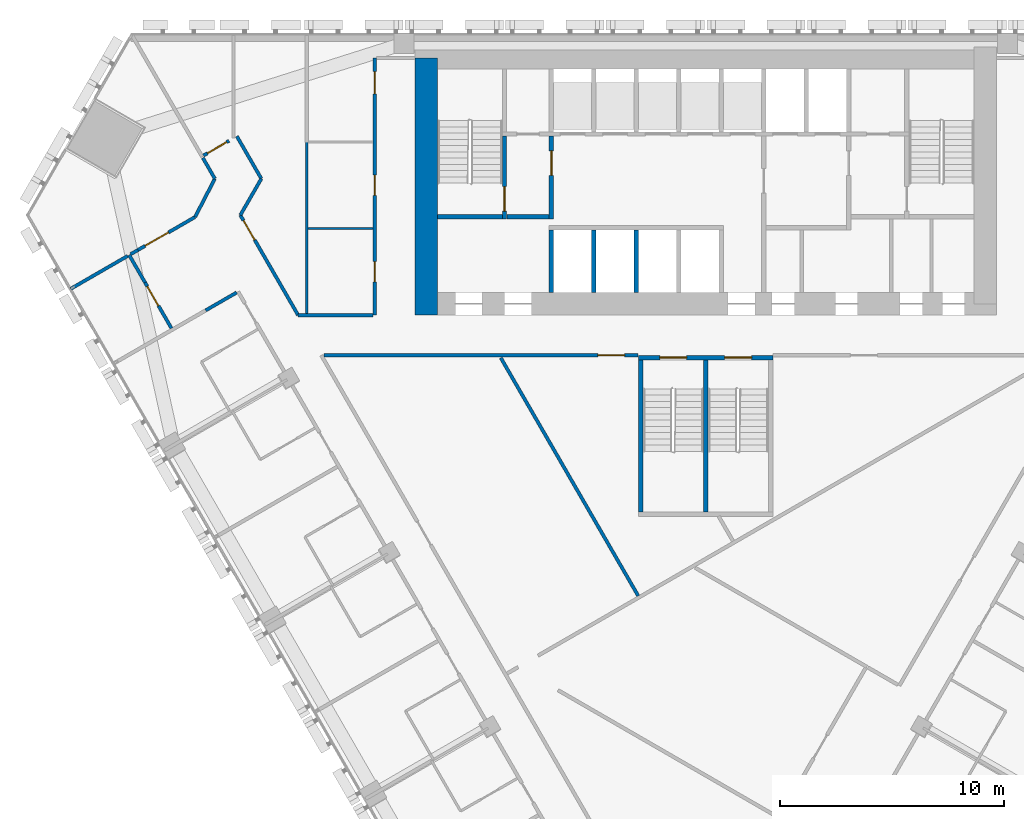
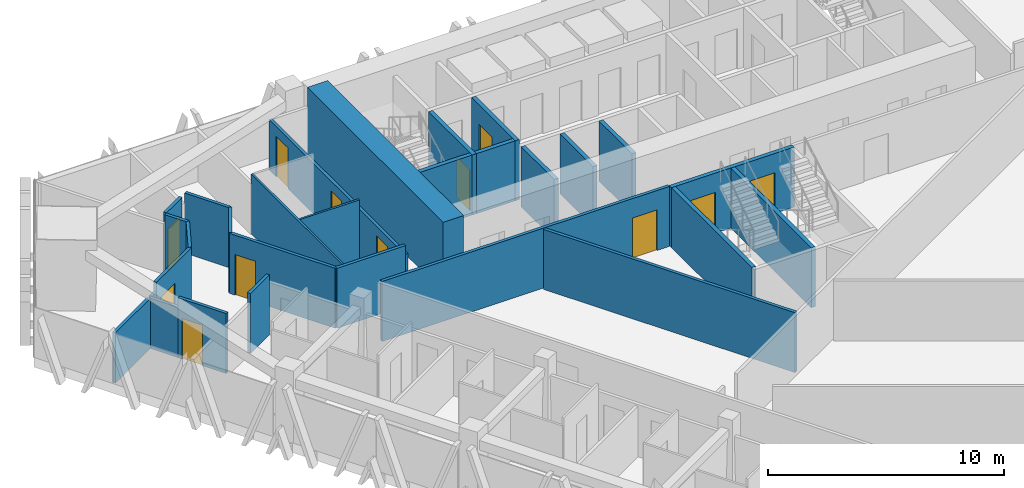
# One storey, part 11 of 17: 29 walls, 12 doors, 12 openings.
"""IFC4 building model written with IfcOpenShell, lengths in metres."""

from ifc_helpers import new_model, si_unit, direction, frame, frame_2d, origin, place, context, subcontext, project, spatial, rectangle, extrude, material, layer, layer_set, type_object, element, fill, save


model = new_model("IFC4")

# Units and contexts
model_context = context("Model", 3, precision=1e-05, world=origin(), true_north=direction((0.0, 1.0)))
body_context = subcontext(model_context, "Body", "Model", "MODEL_VIEW")
ifc_project = project(units=[si_unit("LENGTHUNIT", "METRE"), si_unit("AREAUNIT", "SQUARE_METRE"), si_unit("VOLUMEUNIT", "CUBIC_METRE"), si_unit("PLANEANGLEUNIT", "RADIAN"), si_unit("MASSUNIT", "GRAM", prefix="KILO")], contexts=[model_context])

# Site, building, storey
site_placement = place(None, origin())
site = spatial("IfcSite", under=ifc_project, at=site_placement, CompositionType="ELEMENT")
building_placement = place(site_placement, origin())
building = spatial("IfcBuilding", under=site, at=building_placement, Name="Altiplano Prism Tower", CompositionType="ELEMENT")
storey_placement = place(building_placement, frame((0.0, 0.0, 55.800048828125)))
storey = spatial("IfcBuildingStorey", under=building, at=storey_placement, Name="L13", CompositionType="ELEMENT", Elevation=55.800048828125)

# Walls
ifc_material_1 = material(Name="Concrete C70/85", Category="concrete")
ifc_layer_1 = layer(ifc_material_1, 1.0)
ifc_layer_set_1 = layer_set([ifc_layer_1], Name="Concrete C70/85")
wall_type_1 = type_object("IfcWallType", Name="Core wall 1000", PredefinedType="SHEAR", material=ifc_layer_set_1)
wall_1_placement = place(storey_placement, frame((72.5, 103.89990234375, 0.0), z_axis=(0.0, 0.0, 1.0), x_axis=(0.0, -1.0, 0.0)))
element("IfcWall", 1, at=wall_1_placement, inside=storey, type_object=wall_type_1, Name="Core wall W L13", PredefinedType="SHEAR", context=body_context, shape_type="SweptSolid", body=[
    extrude(rectangle(XDim=11.5, YDim=1.0, at=frame_2d((5.75, 0.0))), origin(), (0.0, 0.0, 1.0), 3.599853515625),
])
ifc_material_2 = material(Name="Plasterboard on steel stud", Category="steel")
ifc_layer_2 = layer(ifc_material_2, 0.10009765625)
ifc_layer_set_2 = layer_set([ifc_layer_2], Name="Plasterboard on steel stud")
wall_type_2 = type_object("IfcWallType", Name="Partition 100 wet", PredefinedType="PARTITIONING", material=ifc_layer_set_2)
wall_2_placement = place(storey_placement, frame((67.201171875, 96.271728515625, 0.0), z_axis=(0.0, 0.0, 1.0), x_axis=(1.0, 0.0, 0.0)))
element("IfcWall", 2, at=wall_2_placement, inside=storey, type_object=wall_type_2, Name="Partition P03 L13 046", PredefinedType="PARTITIONING", context=body_context, shape_type="SweptSolid", body=[
    extrude(rectangle(XDim=2.923828125, YDim=0.10009765625, at=frame_2d((1.4619140625, 0.0))), origin(), (0.0, 0.0, 1.0), 3.099853515625),
])
wall_3_placement = place(storey_placement, frame((67.151123046875, 100.16259765625, 0.0), z_axis=(0.0, 0.0, 1.0), x_axis=(0.0, -1.0, 0.0)))
element("IfcWall", 3, at=wall_3_placement, inside=storey, type_object=wall_type_2, Name="Partition P03 L13 048", PredefinedType="PARTITIONING", context=body_context, shape_type="SweptSolid", body=[
    extrude(rectangle(XDim=7.6875, YDim=0.10009765625, at=frame_2d((3.84375, 0.0))), origin(), (0.0, 0.0, 1.0), 3.099853515625),
])

# Wall, openings, doors
ifc_layer_3 = layer(ifc_material_2, 0.14990234375)
ifc_layer_set_3 = layer_set([ifc_layer_3], Name="Plasterboard on steel stud")
wall_type_3 = type_object("IfcWallType", Name="Partition 150 corridor", PredefinedType="PARTITIONING", material=ifc_layer_set_3)
wall_4_placement = place(storey_placement, frame((70.199951171875, 103.89990234375, 0.0), z_axis=(0.0, 0.0, 1.0), x_axis=(0.0, -1.0, 0.0)))
wall_4 = element("IfcWall", 4, at=wall_4_placement, inside=storey, type_object=wall_type_3, Name="Partition P06 L13 001", PredefinedType="PARTITIONING", context=body_context, shape_type="SweptSolid", body=[
    extrude(rectangle(XDim=11.5, YDim=0.14990234375, at=frame_2d((5.75, 0.0))), origin(), (0.0, 0.0, 1.0), 2.599853515625),
])
opening_1_placement = place(wall_4_placement, frame((5.242919921875, 0.0, 0.0)))
opening_1 = element("IfcOpeningElement", 5, at=opening_1_placement, cuts=wall_4, Name="Opening D0522", PredefinedType="OPENING", context=body_context, shape_type="SweptSolid", body=[
    extrude(rectangle(XDim=0.89990234375, YDim=2.10009765625, at=frame_2d((0.449951171875, 1.050048828125))), frame((0.0, 0.08544921875, 0.0), z_axis=(0.0, -1.0, 0.0), x_axis=(1.0, 0.0, 0.0)), (0.0, 0.0, 1.0), 0.1708984375),
])
opening_2_placement = place(wall_4_placement, frame((9.114013671875, 0.0, 0.0)))
opening_2 = element("IfcOpeningElement", 6, at=opening_2_placement, cuts=wall_4, Name="Opening D0523", PredefinedType="OPENING", context=body_context, shape_type="SweptSolid", body=[
    extrude(rectangle(XDim=0.89990234375, YDim=2.10009765625, at=frame_2d((0.449951171875, 1.050048828125))), frame((0.0, 0.08544921875, 0.0), z_axis=(0.0, -1.0, 0.0), x_axis=(1.0, 0.0, 0.0)), (0.0, 0.0, 1.0), 0.1708984375),
])
opening_3_placement = place(wall_4_placement, frame((0.60693359375, 0.0, 0.0)))
opening_3 = element("IfcOpeningElement", 7, at=opening_3_placement, cuts=wall_4, Name="Opening D0525", PredefinedType="OPENING", context=body_context, shape_type="SweptSolid", body=[
    extrude(rectangle(XDim=1.0, YDim=2.10009765625, at=frame_2d((0.5, 1.050048828125))), frame((0.0, 0.08544921875, 0.0), z_axis=(0.0, -1.0, 0.0), x_axis=(1.0, 0.0, 0.0)), (0.0, 0.0, 1.0), 0.1708984375),
])
ifc_material_3 = material(Name="Timber", Category="wood")
door_type_1 = type_object("IfcDoorType", Name="Store door 1000 x 2100", OperationType="NOTDEFINED", PredefinedType="NOTDEFINED", material=ifc_material_3)
door_1_placement = place(opening_3_placement, origin())
door_1 = element("IfcDoor", 8, at=door_1_placement, inside=storey, type_object=door_type_1, Name="Door D0525", OperationType="SINGLE_SWING_LEFT", OverallHeight=2.10009765625, OverallWidth=1.0, PredefinedType="NOTDEFINED", context=body_context, shape_type="SweptSolid", body=[
    extrude(rectangle(XDim=1.0, YDim=2.10009765625, at=frame_2d((0.5, 1.050048828125))), frame((0.0, 0.02490234375, 0.0), z_axis=(0.0, -1.0, 0.0), x_axis=(1.0, 0.0, 0.0)), (0.0, 0.0, 1.0), 0.050048828125),
])
fill(opening_3, door_1)
door_type_2 = type_object("IfcDoorType", Name="Toilet door 900 x 2100", OperationType="NOTDEFINED", PredefinedType="NOTDEFINED", material=ifc_material_3)
door_2_placement = place(opening_1_placement, origin())
door_2 = element("IfcDoor", 9, at=door_2_placement, inside=storey, type_object=door_type_2, Name="Door D0522", OperationType="SINGLE_SWING_RIGHT", OverallHeight=2.10009765625, OverallWidth=0.89990234375, PredefinedType="NOTDEFINED", context=body_context, shape_type="SweptSolid", body=[
    extrude(rectangle(XDim=0.89990234375, YDim=2.10009765625, at=frame_2d((0.449951171875, 1.050048828125))), frame((0.0, 0.02490234375, 0.0), z_axis=(0.0, -1.0, 0.0), x_axis=(1.0, 0.0, 0.0)), (0.0, 0.0, 1.0), 0.050048828125),
])
fill(opening_1, door_2)
door_3_placement = place(opening_2_placement, origin())
door_3 = element("IfcDoor", 10, at=door_3_placement, inside=storey, type_object=door_type_2, Name="Door D0523", OperationType="SINGLE_SWING_LEFT", OverallHeight=2.10009765625, OverallWidth=0.89990234375, PredefinedType="NOTDEFINED", context=body_context, shape_type="SweptSolid", body=[
    extrude(rectangle(XDim=0.89990234375, YDim=2.10009765625, at=frame_2d((0.449951171875, 1.050048828125))), frame((0.0, 0.02490234375, 0.0), z_axis=(0.0, -1.0, 0.0), x_axis=(1.0, 0.0, 0.0)), (0.0, 0.0, 1.0), 0.050048828125),
])
fill(opening_2, door_3)

# Wall
wall_5_placement = place(storey_placement, frame((70.125, 92.39990234375, 0.0), z_axis=(0.0, 0.0, 1.0), x_axis=(-1.0, 0.0, 0.0)))
element("IfcWall", 11, at=wall_5_placement, inside=storey, type_object=wall_type_3, Name="Partition P06 L13 002", PredefinedType="PARTITIONING", context=body_context, shape_type="SweptSolid", body=[
    extrude(rectangle(XDim=3.359619140625, YDim=0.14990234375, at=frame_2d((1.6796875, 0.0))), origin(), (0.0, 0.0, 1.0), 3.099853515625),
])

# Wall, opening, door
wall_6_placement = place(storey_placement, frame((63.676025390625, 100.198486328125, 0.0), z_axis=(0.0, 0.0, 1.0), x_axis=(-0.865994851461, -0.500052914442, 0.0)))
wall_6 = element("IfcWall", 12, at=wall_6_placement, inside=storey, type_object=wall_type_3, Name="Partition P06 L13 003", PredefinedType="PARTITIONING", context=body_context, shape_type="SweptSolid", body=[
    extrude(rectangle(XDim=1.321533203125, YDim=0.14990234375, at=frame_2d((0.66064453125, 0.0))), origin(), (0.0, 0.0, 1.0), 3.099853515625),
])
opening_4_placement = place(wall_6_placement, frame((0.1201171875, 0.0, 0.0)))
opening_4 = element("IfcOpeningElement", 13, at=opening_4_placement, cuts=wall_6, Name="Opening D0524", PredefinedType="OPENING", context=body_context, shape_type="SweptSolid", body=[
    extrude(rectangle(XDim=1.0, YDim=2.10009765625, at=frame_2d((0.5, 1.050048828125))), frame((0.0, 0.08544921875, 0.0), z_axis=(0.0, -1.0, 0.0), x_axis=(1.0, 0.0, 0.0)), (0.0, 0.0, 1.0), 0.1708984375),
])
door_4_placement = place(opening_4_placement, origin())
door_4 = element("IfcDoor", 14, at=door_4_placement, inside=storey, type_object=door_type_1, Name="Door D0524", OperationType="SINGLE_SWING_RIGHT", OverallHeight=2.10009765625, OverallWidth=1.0, PredefinedType="NOTDEFINED", context=body_context, shape_type="SweptSolid", body=[
    extrude(rectangle(XDim=1.0, YDim=2.10009765625, at=frame_2d((0.5, 1.050048828125))), frame((0.0, 0.02490234375, 0.0), z_axis=(0.0, -1.0, 0.0), x_axis=(1.0, 0.0, 0.0)), (0.0, 0.0, 1.0), 0.050048828125),
])
fill(opening_4, door_4)

# Walls
wall_7_placement = place(storey_placement, frame((62.50390625, 99.43505859375, 0.0), z_axis=(0.0, 0.0, 1.0), x_axis=(0.499957341738, -0.866050031143, 0.0)))
element("IfcWall", 15, at=wall_7_placement, inside=storey, type_object=wall_type_3, Name="Partition P06 L13 005", PredefinedType="PARTITIONING", context=body_context, shape_type="SweptSolid", body=[
    extrude(rectangle(XDim=1.07958984375, YDim=0.14990234375, at=frame_2d((0.539794921875, 0.0))), origin(), (0.0, 0.0, 1.0), 3.099853515625),
])
wall_8_placement = place(storey_placement, frame((63.043701171875, 98.5, 0.0), z_axis=(0.0, 0.0, 1.0), x_axis=(-0.459959252293, -0.887940024005, 0.0)))
element("IfcWall", 16, at=wall_8_placement, inside=storey, type_object=wall_type_3, Name="Partition P06 L13 006", PredefinedType="PARTITIONING", context=body_context, shape_type="SweptSolid", body=[
    extrude(rectangle(XDim=1.931640625, YDim=0.14990234375, at=frame_2d((0.9658203125, 0.0))), origin(), (0.0, 0.0, 1.0), 3.099853515625),
])

# Wall, opening, door
wall_9_placement = place(storey_placement, frame((62.1552734375, 96.784912109375, 0.0), z_axis=(0.0, 0.0, 1.0), x_axis=(-0.866033953121, -0.499985191823, 0.0)))
wall_9 = element("IfcWall", 17, at=wall_9_placement, inside=storey, type_object=wall_type_3, Name="Partition P06 L13 007", PredefinedType="PARTITIONING", context=body_context, shape_type="SweptSolid", body=[
    extrude(rectangle(XDim=2.94921875, YDim=0.14990234375, at=frame_2d((1.474609375, 0.0))), origin(), (0.0, 0.0, 1.0), 3.099853515625),
])
opening_5_placement = place(wall_9_placement, frame((1.375, 0.0, 0.0)))
opening_5 = element("IfcOpeningElement", 18, at=opening_5_placement, cuts=wall_9, Name="Opening D0526", PredefinedType="OPENING", context=body_context, shape_type="SweptSolid", body=[
    extrude(rectangle(XDim=1.199951171875, YDim=2.10009765625, at=frame_2d((0.60009765625, 1.050048828125))), frame((0.0, 0.08544921875, 0.0), z_axis=(0.0, -1.0, 0.0), x_axis=(1.0, 0.0, 0.0)), (0.0, 0.0, 1.0), 0.1708984375),
])
door_type_3 = type_object("IfcDoorType", Name="Shared room door 1200 x 2100", OperationType="NOTDEFINED", PredefinedType="NOTDEFINED", material=ifc_material_3)
door_5_placement = place(opening_5_placement, origin())
door_5 = element("IfcDoor", 19, at=door_5_placement, inside=storey, type_object=door_type_3, Name="Door D0526", OperationType="SINGLE_SWING_RIGHT", OverallHeight=2.10009765625, OverallWidth=1.199951171875, PredefinedType="NOTDEFINED", context=body_context, shape_type="SweptSolid", body=[
    extrude(rectangle(XDim=1.199951171875, YDim=2.10009765625, at=frame_2d((0.60009765625, 1.050048828125))), frame((0.0, 0.02490234375, 0.0), z_axis=(0.0, -1.0, 0.0), x_axis=(1.0, 0.0, 0.0)), (0.0, 0.0, 1.0), 0.050048828125),
])
fill(opening_5, door_5)

# Walls
wall_10_placement = place(storey_placement, frame((59.60107421875, 95.310302734375, 0.0), z_axis=(0.0, 0.0, 1.0), x_axis=(-0.865752432539, -0.500472502294, 0.0)))
element("IfcWall", 20, at=wall_10_placement, inside=storey, type_object=wall_type_3, Name="Partition P06 L13 008", PredefinedType="PARTITIONING", context=body_context, shape_type="SweptSolid", body=[
    extrude(rectangle(XDim=0.375732421875, YDim=0.14990234375, at=frame_2d((0.18798828125, 0.0))), origin(), (0.0, 0.0, 1.0), 2.599853515625),
])
wall_11_placement = place(storey_placement, frame((59.210693359375, 95.0849609375, 0.0), z_axis=(0.0, 0.0, 1.0), x_axis=(0.500114325761, -0.865959387713, 0.0)))
element("IfcWall", 21, at=wall_11_placement, inside=storey, type_object=wall_type_3, Name="Partition P06 L13 009", PredefinedType="PARTITIONING", context=body_context, shape_type="SweptSolid", body=[
    extrude(rectangle(XDim=1.420166015625, YDim=0.14990234375, at=frame_2d((0.7099609375, 0.0))), origin(), (0.0, 0.0, 1.0), 2.599853515625),
])

# Wall, opening, door
wall_12_placement = place(storey_placement, frame((59.9208984375, 93.855224609375, 0.0), z_axis=(0.0, 0.0, 1.0), x_axis=(0.499967270532, -0.866044299327, 0.0)))
wall_12 = element("IfcWall", 22, at=wall_12_placement, inside=storey, type_object=wall_type_3, Name="Partition P06 L13 010", PredefinedType="PARTITIONING", context=body_context, shape_type="SweptSolid", body=[
    extrude(rectangle(XDim=2.359619140625, YDim=0.14990234375, at=frame_2d((1.1796875, 0.0))), origin(), (0.0, 0.0, 1.0), 3.099853515625),
])
opening_6_placement = place(wall_12_placement, frame((0.199951171875, 0.0, 0.0)))
opening_6 = element("IfcOpeningElement", 23, at=opening_6_placement, cuts=wall_12, Name="Opening D0527", PredefinedType="OPENING", context=body_context, shape_type="SweptSolid", body=[
    extrude(rectangle(XDim=1.0, YDim=2.10009765625, at=frame_2d((0.5, 1.050048828125))), frame((0.0, 0.08544921875, 0.0), z_axis=(0.0, -1.0, 0.0), x_axis=(1.0, 0.0, 0.0)), (0.0, 0.0, 1.0), 0.1708984375),
])
door_type_4 = type_object("IfcDoorType", Name="Room door 1000 x 2100", OperationType="NOTDEFINED", PredefinedType="NOTDEFINED", material=ifc_material_3)
door_6_placement = place(opening_6_placement, origin())
door_6 = element("IfcDoor", 24, at=door_6_placement, inside=storey, type_object=door_type_4, Name="Door D0527", OperationType="SINGLE_SWING_RIGHT", OverallHeight=2.10009765625, OverallWidth=1.0, PredefinedType="NOTDEFINED", context=body_context, shape_type="SweptSolid", body=[
    extrude(rectangle(XDim=1.0, YDim=2.10009765625, at=frame_2d((0.5, 1.050048828125))), frame((0.0, 0.02490234375, 0.0), z_axis=(0.0, -1.0, 0.0), x_axis=(1.0, 0.0, 0.0)), (0.0, 0.0, 1.0), 0.050048828125),
])
fill(opening_6, door_6)

# Wall
wall_13_placement = place(storey_placement, frame((62.627685546875, 92.60693359375, 0.0), z_axis=(0.0, 0.0, 1.0), x_axis=(0.866015857963, 0.500016533484, 0.0)))
element("IfcWall", 25, at=wall_13_placement, inside=storey, type_object=wall_type_3, Name="Partition P06 L13 011", PredefinedType="PARTITIONING", context=body_context, shape_type="SweptSolid", body=[
    extrude(rectangle(XDim=1.60498046875, YDim=0.14990234375, at=frame_2d((0.802490234375, 0.0))), origin(), (0.0, 0.0, 1.0), 3.099853515625),
])

# Wall, opening, door
wall_14_placement = place(storey_placement, frame((67.9345703125, 90.60009765625, 0.0), z_axis=(0.0, 0.0, 1.0), x_axis=(1.0, 0.0, 0.0)))
wall_14 = element("IfcWall", 26, at=wall_14_placement, inside=storey, type_object=wall_type_3, Name="Partition P06 L13 029", PredefinedType="PARTITIONING", context=body_context, shape_type="SweptSolid", body=[
    extrude(rectangle(XDim=14.0400390625, YDim=0.14990234375, at=frame_2d((7.02001953125, 0.0))), origin(), (0.0, 0.0, 1.0), 3.099853515625),
])
opening_7_placement = place(wall_14_placement, frame((12.238037109375, 0.0, 0.0)))
opening_7 = element("IfcOpeningElement", 27, at=opening_7_placement, cuts=wall_14, Name="Opening D0569", PredefinedType="OPENING", context=body_context, shape_type="SweptSolid", body=[
    extrude(rectangle(XDim=1.199951171875, YDim=2.10009765625, at=frame_2d((0.60009765625, 1.050048828125))), frame((0.0, 0.08544921875, 0.0), z_axis=(0.0, -1.0, 0.0), x_axis=(1.0, 0.0, 0.0)), (0.0, 0.0, 1.0), 0.1708984375),
])
door_7_placement = place(opening_7_placement, origin())
door_7 = element("IfcDoor", 28, at=door_7_placement, inside=storey, type_object=door_type_3, Name="Door D0569", OperationType="SINGLE_SWING_LEFT", OverallHeight=2.10009765625, OverallWidth=1.199951171875, PredefinedType="NOTDEFINED", context=body_context, shape_type="SweptSolid", body=[
    extrude(rectangle(XDim=1.199951171875, YDim=2.10009765625, at=frame_2d((0.60009765625, 1.050048828125))), frame((0.0, 0.02490234375, 0.0), z_axis=(0.0, -1.0, 0.0), x_axis=(1.0, 0.0, 0.0)), (0.0, 0.0, 1.0), 0.050048828125),
])
fill(opening_7, door_7)

wall_15_placement = place(storey_placement, frame((66.765380859375, 92.39990234375, 0.0), z_axis=(0.0, 0.0, 1.0), x_axis=(-0.499992497538, 0.86602973529, 0.0)))
wall_15 = element("IfcWall", 29, at=wall_15_placement, inside=storey, type_object=wall_type_3, Name="Partition P06 L13 043", PredefinedType="PARTITIONING", context=body_context, shape_type="SweptSolid", body=[
    extrude(rectangle(XDim=5.1650390625, YDim=0.14990234375, at=frame_2d((2.58251953125, 0.0))), origin(), (0.0, 0.0, 1.0), 3.099853515625),
])
opening_8_placement = place(wall_15_placement, frame((3.885009765625, 0.0, 0.0)))
opening_8 = element("IfcOpeningElement", 30, at=opening_8_placement, cuts=wall_15, Name="Opening D0570", PredefinedType="OPENING", context=body_context, shape_type="SweptSolid", body=[
    extrude(rectangle(XDim=1.0, YDim=2.10009765625, at=frame_2d((0.5, 1.050048828125))), frame((0.0, 0.08544921875, 0.0), z_axis=(0.0, -1.0, 0.0), x_axis=(1.0, 0.0, 0.0)), (0.0, 0.0, 1.0), 0.1708984375),
])
door_8_placement = place(opening_8_placement, origin())
door_8 = element("IfcDoor", 31, at=door_8_placement, inside=storey, type_object=door_type_4, Name="Door D0570", OperationType="SINGLE_SWING_RIGHT", OverallHeight=2.10009765625, OverallWidth=1.0, PredefinedType="NOTDEFINED", context=body_context, shape_type="SweptSolid", body=[
    extrude(rectangle(XDim=1.0, YDim=2.10009765625, at=frame_2d((0.5, 1.050048828125))), frame((0.0, 0.02490234375, 0.0), z_axis=(0.0, -1.0, 0.0), x_axis=(1.0, 0.0, 0.0)), (0.0, 0.0, 1.0), 0.050048828125),
])
fill(opening_8, door_8)

# Walls
wall_16_placement = place(storey_placement, frame((64.182861328125, 96.873046875, 0.0), z_axis=(0.0, 0.0, 1.0), x_axis=(0.500052415518, 0.865995139556, 0.0)))
element("IfcWall", 32, at=wall_16_placement, inside=storey, type_object=wall_type_3, Name="Partition P06 L13 044", PredefinedType="PARTITIONING", context=body_context, shape_type="SweptSolid", body=[
    extrude(rectangle(XDim=1.878662109375, YDim=0.14990234375, at=frame_2d((0.939453125, 0.0))), origin(), (0.0, 0.0, 1.0), 3.099853515625),
])
wall_17_placement = place(storey_placement, frame((65.122314453125, 98.5, 0.0), z_axis=(0.0, 0.0, 1.0), x_axis=(-0.500005024956, 0.866022502605, 0.0)))
element("IfcWall", 33, at=wall_17_placement, inside=storey, type_object=wall_type_3, Name="Partition P06 L13 045", PredefinedType="PARTITIONING", context=body_context, shape_type="SweptSolid", body=[
    extrude(rectangle(XDim=2.19384765625, YDim=0.14990234375, at=frame_2d((1.096923828125, 0.0))), origin(), (0.0, 0.0, 1.0), 3.099853515625),
])
ifc_layer_4 = layer(ifc_material_2, 0.14990234375)
ifc_layer_set_4 = layer_set([ifc_layer_4], Name="Plasterboard on steel stud")
wall_type_4 = type_object("IfcWallType", Name="Partition 150 party", PredefinedType="PARTITIONING", material=ifc_layer_set_4)
wall_18_placement = place(storey_placement, frame((56.59521484375, 93.57470703125, 0.0), z_axis=(0.0, 0.0, 1.0), x_axis=(0.866010265175, 0.500026219923, 0.0)))
element("IfcWall", 34, at=wall_18_placement, inside=storey, type_object=wall_type_4, Name="Partition P01 L13 052", PredefinedType="PARTITIONING", context=body_context, shape_type="SweptSolid", body=[
    extrude(rectangle(XDim=2.945068359375, YDim=0.14990234375, at=frame_2d((1.47265625, 0.0))), origin(), (0.0, 0.0, 1.0), 2.599853515625),
])
wall_19_placement = place(storey_placement, frame((81.981689453125, 79.83837890625, 0.0), z_axis=(0.0, 0.0, 1.0), x_axis=(-0.500008318019, 0.866020601321, 0.0)))
element("IfcWall", 35, at=wall_19_placement, inside=storey, type_object=wall_type_4, Name="Partition P01 L13 113", PredefinedType="PARTITIONING", context=body_context, shape_type="SweptSolid", body=[
    extrude(rectangle(XDim=12.296630859375, YDim=0.14990234375, at=frame_2d((6.1484375, 0.0))), origin(), (0.0, 0.0, 1.0), 3.099853515625),
])
ifc_material_4 = material(Name="Concrete C60/75", Category="concrete")
ifc_layer_5 = layer(ifc_material_4, 0.199951171875)
ifc_layer_set_5 = layer_set([ifc_layer_5], Name="Concrete C60/75")
wall_type_5 = type_object("IfcWallType", Name="Shaft wall 200", PredefinedType="SOLIDWALL", material=ifc_layer_set_5)
for number, where, z_axis, x_axis, name in (
    (36, (78.10009765625, 93.39990234375, 0.0), (0.0, 0.0, 1.0), (0.0, 1.0, 0.0), "Shaft wall L13"),
    (37, (80.0, 93.39990234375, 0.0), (0.0, 0.0, 1.0), (0.0, 1.0, 0.0), "Shaft wall L13"),
    (38, (81.89990234375, 93.39990234375, 0.0), (0.0, 0.0, 1.0), (0.0, 1.0, 0.0), "Shaft wall L13"),
):
    element("IfcWall", number, at=place(storey_placement, frame(where, z_axis=z_axis, x_axis=x_axis)), inside=storey, type_object=wall_type_5, Name=name, PredefinedType="SOLIDWALL", context=body_context, shape_type="SweptSolid", body=[
        extrude(rectangle(XDim=2.800048828125, YDim=0.199951171875, at=frame_2d((1.39990234375, 0.0))), origin(), (0.0, 0.0, 1.0), 3.099853515625),
    ])
ifc_layer_6 = layer(ifc_material_4, 0.199951171875)
ifc_layer_set_6 = layer_set([ifc_layer_6], Name="Concrete C60/75")
wall_type_6 = type_object("IfcWallType", Name="Stair wall 200", PredefinedType="SOLIDWALL", material=ifc_layer_set_6)
wall_20_placement = place(storey_placement, frame((73.0, 96.800048828125, 0.0), z_axis=(0.0, 0.0, 1.0), x_axis=(1.0, 0.0, 0.0)))
element("IfcWall", 39, at=wall_20_placement, inside=storey, type_object=wall_type_6, Name="Stair wall L13", PredefinedType="SOLIDWALL", context=body_context, shape_type="SweptSolid", body=[
    extrude(rectangle(XDim=2.89990234375, YDim=0.199951171875, at=frame_2d((1.449951171875, 0.0))), origin(), (0.0, 0.0, 1.0), 3.099853515625),
])

# Wall, opening, door
wall_21_placement = place(storey_placement, frame((76.0, 96.699951171875, 0.0), z_axis=(0.0, 0.0, 1.0), x_axis=(0.0, 1.0, 0.0)))
wall_21 = element("IfcWall", 40, at=wall_21_placement, inside=storey, type_object=wall_type_6, Name="Stair wall L13", PredefinedType="SOLIDWALL", context=body_context, shape_type="SweptSolid", body=[
    extrude(rectangle(XDim=3.699951171875, YDim=0.199951171875, at=frame_2d((1.85009765625, 0.0))), origin(), (0.0, 0.0, 1.0), 3.099853515625),
])
opening_9_placement = place(wall_21_placement, frame((0.35009765625, 0.0, 0.0)))
opening_9 = element("IfcOpeningElement", 41, at=opening_9_placement, cuts=wall_21, Name="Opening D2760", PredefinedType="OPENING", context=body_context, shape_type="SweptSolid", body=[
    extrude(rectangle(XDim=1.10009765625, YDim=2.10009765625, at=frame_2d((0.550048828125, 1.050048828125))), frame((0.0, 0.1103515625, 0.0), z_axis=(0.0, -1.0, 0.0), x_axis=(1.0, 0.0, 0.0)), (0.0, 0.0, 1.0), 0.220947265625),
])
ifc_material_5 = material(Name="Fire-rated steel door", Category="steel")
door_type_5 = type_object("IfcDoorType", Name="Stair fire door 1100 x 2100", OperationType="NOTDEFINED", PredefinedType="NOTDEFINED", material=ifc_material_5)
door_9_placement = place(opening_9_placement, origin())
door_9 = element("IfcDoor", 42, at=door_9_placement, inside=storey, type_object=door_type_5, Name="Stair fire door D2760", OperationType="SINGLE_SWING_RIGHT", OverallHeight=2.10009765625, OverallWidth=1.10009765625, PredefinedType="NOTDEFINED", context=body_context, shape_type="SweptSolid", body=[
    extrude(rectangle(XDim=1.10009765625, YDim=2.10009765625, at=frame_2d((0.550048828125, 1.050048828125))), frame((0.0, 0.02490234375, 0.0), z_axis=(0.0, -1.0, 0.0), x_axis=(1.0, 0.0, 0.0)), (0.0, 0.0, 1.0), 0.050048828125),
])
fill(opening_9, door_9)

# Wall, openings, doors
wall_22_placement = place(storey_placement, frame((82.0, 90.5, 0.0), z_axis=(0.0, 0.0, 1.0), x_axis=(1.0, 0.0, 0.0)))
wall_22 = element("IfcWall", 43, at=wall_22_placement, inside=storey, type_object=wall_type_6, Name="Stair 3 wall north L13", PredefinedType="SOLIDWALL", context=body_context, shape_type="SweptSolid", body=[
    extrude(rectangle(XDim=6.0, YDim=0.199951171875, at=frame_2d((3.0, 0.0))), origin(), (0.0, 0.0, 1.0), 3.099853515625),
])
opening_10_placement = place(wall_22_placement, frame((0.949951171875, 0.0, 0.0)))
opening_10 = element("IfcOpeningElement", 44, at=opening_10_placement, cuts=wall_22, Name="Opening D3948", PredefinedType="OPENING", context=body_context, shape_type="SweptSolid", body=[
    extrude(rectangle(XDim=1.199951171875, YDim=2.10009765625, at=frame_2d((0.60009765625, 1.050048828125))), frame((0.0, 0.1103515625, 0.0), z_axis=(0.0, -1.0, 0.0), x_axis=(1.0, 0.0, 0.0)), (0.0, 0.0, 1.0), 0.220947265625),
])
opening_11_placement = place(wall_22_placement, frame((3.85009765625, 0.0, 0.0)))
opening_11 = element("IfcOpeningElement", 45, at=opening_11_placement, cuts=wall_22, Name="Opening D3949", PredefinedType="OPENING", context=body_context, shape_type="SweptSolid", body=[
    extrude(rectangle(XDim=1.199951171875, YDim=2.10009765625, at=frame_2d((0.60009765625, 1.050048828125))), frame((0.0, 0.1103515625, 0.0), z_axis=(0.0, -1.0, 0.0), x_axis=(1.0, 0.0, 0.0)), (0.0, 0.0, 1.0), 0.220947265625),
])
door_type_6 = type_object("IfcDoorType", Name="Stair fire door 1200 x 2100", OperationType="NOTDEFINED", PredefinedType="NOTDEFINED", material=ifc_material_5)
door_10_placement = place(opening_10_placement, origin())
door_10 = element("IfcDoor", 46, at=door_10_placement, inside=storey, type_object=door_type_6, Name="Stair fire door D3948", OperationType="SINGLE_SWING_LEFT", OverallHeight=2.10009765625, OverallWidth=1.199951171875, PredefinedType="NOTDEFINED", context=body_context, shape_type="SweptSolid", body=[
    extrude(rectangle(XDim=1.199951171875, YDim=2.10009765625, at=frame_2d((0.60009765625, 1.050048828125))), frame((0.0, 0.02490234375, 0.0), z_axis=(0.0, -1.0, 0.0), x_axis=(1.0, 0.0, 0.0)), (0.0, 0.0, 1.0), 0.050048828125),
])
fill(opening_10, door_10)
door_11_placement = place(opening_11_placement, origin())
door_11 = element("IfcDoor", 47, at=door_11_placement, inside=storey, type_object=door_type_6, Name="Stair fire door D3949", OperationType="SINGLE_SWING_LEFT", OverallHeight=2.10009765625, OverallWidth=1.199951171875, PredefinedType="NOTDEFINED", context=body_context, shape_type="SweptSolid", body=[
    extrude(rectangle(XDim=1.199951171875, YDim=2.10009765625, at=frame_2d((0.60009765625, 1.050048828125))), frame((0.0, 0.02490234375, 0.0), z_axis=(0.0, -1.0, 0.0), x_axis=(1.0, 0.0, 0.0)), (0.0, 0.0, 1.0), 0.050048828125),
])
fill(opening_11, door_11)

# Walls
for number, where, z_axis, x_axis, name in (
    (48, (82.10009765625, 83.60009765625, 0.0), (0.0, 0.0, 1.0), (0.0, 1.0, 0.0), "Stair 3 wall west L13"),
    (49, (85.0, 83.60009765625, 0.0), (0.0, 0.0, 1.0), (0.0, 1.0, 0.0), "Stair 3 wall divider L13"),
):
    element("IfcWall", number, at=place(storey_placement, frame(where, z_axis=z_axis, x_axis=x_axis)), inside=storey, type_object=wall_type_6, Name=name, PredefinedType="SOLIDWALL", context=body_context, shape_type="SweptSolid", body=[
        extrude(rectangle(XDim=6.7998046875, YDim=0.199951171875, at=frame_2d((3.39990234375, 0.0))), origin(), (0.0, 0.0, 1.0), 3.099853515625),
    ])
ifc_layer_7 = layer(ifc_material_4, 0.199951171875)
ifc_layer_set_7 = layer_set([ifc_layer_7], Name="Concrete C60/75")
wall_type_7 = type_object("IfcWallType", Name="Vestibule wall 200", PredefinedType="PARTITIONING", material=ifc_layer_set_7)
wall_23_placement = place(storey_placement, frame((76.10009765625, 96.800048828125, 0.0), z_axis=(0.0, 0.0, 1.0), x_axis=(1.0, 0.0, 0.0)))
element("IfcWall", 50, at=wall_23_placement, inside=storey, type_object=wall_type_7, Name="Vestibule wall L13", PredefinedType="PARTITIONING", context=body_context, shape_type="SweptSolid", body=[
    extrude(rectangle(XDim=1.89990234375, YDim=0.199951171875, at=frame_2d((0.949951171875, 0.0))), origin(), (0.0, 0.0, 1.0), 3.099853515625),
])

# Wall, opening, door
wall_24_placement = place(storey_placement, frame((78.10009765625, 96.699951171875, 0.0), z_axis=(0.0, 0.0, 1.0), x_axis=(0.0, 1.0, 0.0)))
wall_24 = element("IfcWall", 51, at=wall_24_placement, inside=storey, type_object=wall_type_7, Name="Vestibule wall L13", PredefinedType="PARTITIONING", context=body_context, shape_type="SweptSolid", body=[
    extrude(rectangle(XDim=3.699951171875, YDim=0.199951171875, at=frame_2d((1.85009765625, 0.0))), origin(), (0.0, 0.0, 1.0), 3.099853515625),
])
opening_12_placement = place(wall_24_placement, frame((1.949951171875, 0.0, 0.0)))
opening_12 = element("IfcOpeningElement", 52, at=opening_12_placement, cuts=wall_24, Name="Opening D2762", PredefinedType="OPENING", context=body_context, shape_type="SweptSolid", body=[
    extrude(rectangle(XDim=1.10009765625, YDim=2.10009765625, at=frame_2d((0.550048828125, 1.050048828125))), frame((0.0, 0.1103515625, 0.0), z_axis=(0.0, -1.0, 0.0), x_axis=(1.0, 0.0, 0.0)), (0.0, 0.0, 1.0), 0.220947265625),
])
door_type_7 = type_object("IfcDoorType", Name="Vestibule fire door 1100 x 2100", OperationType="NOTDEFINED", PredefinedType="NOTDEFINED", material=ifc_material_5)
door_12_placement = place(opening_12_placement, origin())
door_12 = element("IfcDoor", 53, at=door_12_placement, inside=storey, type_object=door_type_7, Name="Vestibule fire door D2762", OperationType="SINGLE_SWING_LEFT", OverallHeight=2.10009765625, OverallWidth=1.10009765625, PredefinedType="NOTDEFINED", context=body_context, shape_type="SweptSolid", body=[
    extrude(rectangle(XDim=1.10009765625, YDim=2.10009765625, at=frame_2d((0.550048828125, 1.050048828125))), frame((0.0, 0.02490234375, 0.0), z_axis=(0.0, -1.0, 0.0), x_axis=(1.0, 0.0, 0.0)), (0.0, 0.0, 1.0), 0.050048828125),
])
fill(opening_12, door_12)

save(model, "model.ifc")
